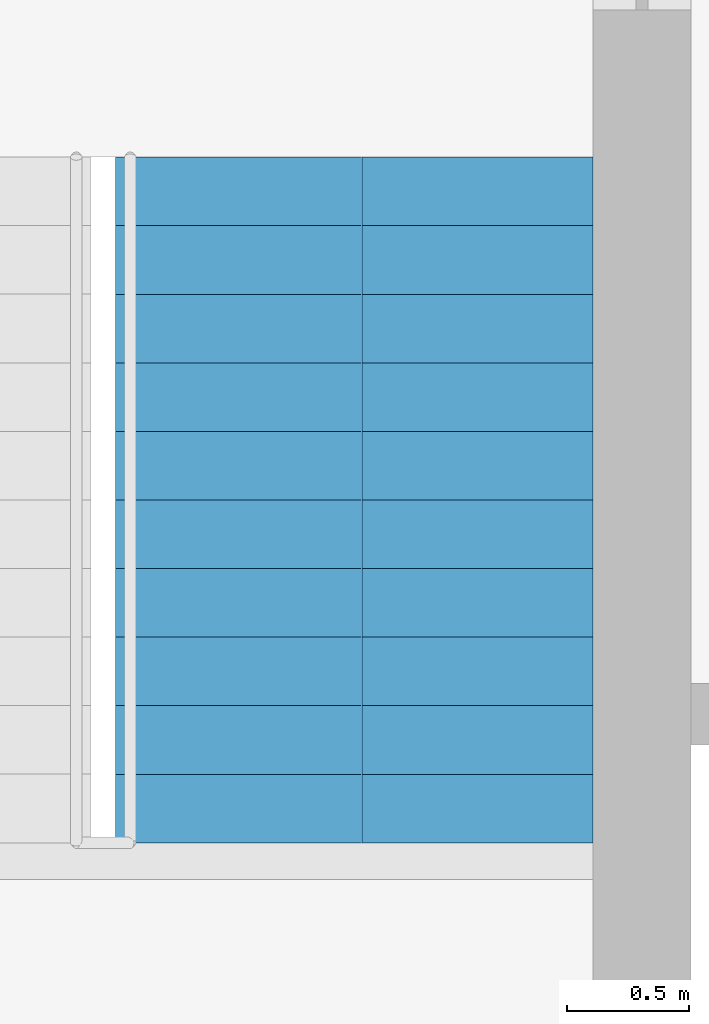
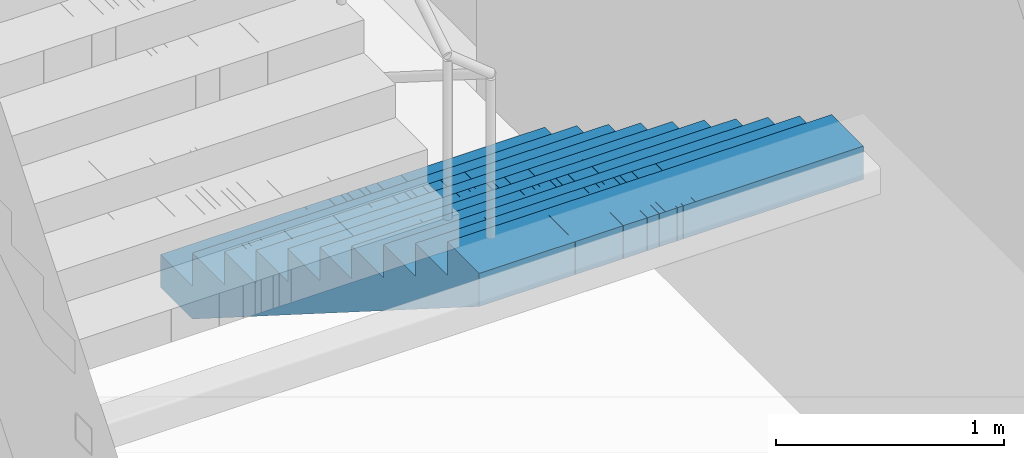
# One storey, part 21 of 22: 1 stair flight, 1 element without a shape of its own.
"""IFC4 building model written with IfcOpenShell, lengths in metres."""

import ifcopenshell
import ifcopenshell.guid

model = None  # the IFC model being written
_history = None  # IfcOwnerHistory: only IFC2X3 demands one
_inside = {}  # id of a spatial element -> (the spatial element, [elements in it])
_under = {}  # id of a project, library or spatial element -> (it, [spatial elements below it])
_declared = {}  # id of a project -> (the project, [libraries it declares])
_typed = {}  # id of a type object -> (the type object, [elements of that type])
_made_of = {}  # id of a material, layer set ... -> (it, [elements and type objects made of it])


def new_model(schema):
    """Start an empty IFC model of exactly this schema.

    Asked for "IFC4X3", IfcOpenShell would pick the latest addendum, in which some entities
    have other attributes; the version numbers below select the first issue.
    IFC2X3 requires an IfcOwnerHistory on every rooted entity: one is made here for all.
    """
    global model, _history
    if schema == "IFC4X3":
        model = ifcopenshell.file(schema_version=(4, 3, 0, 0))
    else:
        model = ifcopenshell.file(schema=schema)
    _inside.clear()
    _under.clear()
    _declared.clear()
    _typed.clear()
    _made_of.clear()
    _history = None
    if model.schema == "IFC2X3":
        org = make("IfcOrganization", Name="unknown")
        user = make(
            "IfcPersonAndOrganization",
            ThePerson=make("IfcPerson", FamilyName="unknown"),
            TheOrganization=org,
        )
        app = make(
            "IfcApplication",
            ApplicationDeveloper=org,
            Version="unknown",
            ApplicationFullName="unknown",
            ApplicationIdentifier="unknown",
        )
        _history = make(
            "IfcOwnerHistory",
            OwningUser=user,
            OwningApplication=app,
            ChangeAction="ADDED",
            CreationDate=0,
        )
    return model


def make(cls, **values):
    """One entity of the class cls with the attributes given. An attribute that is None is left unset."""
    return model.create_entity(
        cls, **{name: value for name, value in values.items() if value is not None}
    )


def rooted(cls, **values):
    """An entity with a GlobalId (a new one), such as an element, a storey or a relation."""
    return make(cls, GlobalId=ifcopenshell.guid.new(), OwnerHistory=_history, **values)


def si_unit(unit_type, name, prefix=None):
    """IfcSIUnit, for example si_unit("LENGTHUNIT", "METRE", prefix="MILLI")."""
    return make("IfcSIUnit", UnitType=unit_type, Prefix=prefix, Name=name)


def assignment(units):
    """IfcUnitAssignment: the units of a project."""
    return None if units is None else make("IfcUnitAssignment", Units=units)


def point(xyz):
    """IfcCartesianPoint."""
    return None if xyz is None else make("IfcCartesianPoint", Coordinates=xyz)


def direction(xyz):
    """IfcDirection."""
    return None if xyz is None else make("IfcDirection", DirectionRatios=xyz)


def frame(location, z_axis=None, x_axis=None):
    """IfcAxis2Placement3D, a coordinate frame: its origin and axes. An axis left out is left unset."""
    return make(
        "IfcAxis2Placement3D",
        Location=point(location),
        Axis=direction(z_axis),
        RefDirection=direction(x_axis),
    )


def origin():
    """The frame at (0, 0, 0) with its axes left unset."""
    return frame((0.0, 0.0, 0.0))


def place(relative_to, where):
    """IfcLocalPlacement: puts the frame where relative to a parent placement (None: the world)."""
    return make(
        "IfcLocalPlacement", PlacementRelTo=relative_to, RelativePlacement=where
    )


def context(
    kind, dimensions, precision=None, world=None, true_north=None, identifier=None
):
    """IfcGeometricRepresentationContext, for example the 3D "Model" context."""
    return make(
        "IfcGeometricRepresentationContext",
        ContextIdentifier=identifier,
        ContextType=kind,
        CoordinateSpaceDimension=dimensions,
        Precision=precision,
        WorldCoordinateSystem=world,
        TrueNorth=true_north,
    )


def subcontext(parent, identifier, kind, view, scale=None):
    """IfcGeometricRepresentationSubContext, for example "Body" below "Model"."""
    return make(
        "IfcGeometricRepresentationSubContext",
        ContextIdentifier=identifier,
        ContextType=kind,
        ParentContext=parent,
        TargetScale=scale,
        TargetView=view,
    )


def project(units=None, contexts=None):
    """IfcProject with its units and contexts."""
    return rooted(
        "IfcProject",
        Name="project",
        RepresentationContexts=contexts,
        UnitsInContext=assignment(units),
    )


def spatial(cls, under=None, at=None, **own):
    """A site, building, storey or space (cls), placed at a placement, below another one or the project."""
    s = rooted(cls, ObjectPlacement=at, **own)
    if under is not None:
        _under.setdefault(under.id(), (under, []))[1].append(s)
    return s


def polyline(points):
    """IfcPolyline through the points."""
    return make("IfcPolyline", Points=[point(p) for p in points])


def outline(outer, holes=None, kind="AREA"):
    """IfcArbitraryClosedProfileDef: a profile drawn as a closed curve; with holes, ...WithVoids."""
    if holes is None:
        return make("IfcArbitraryClosedProfileDef", ProfileType=kind, OuterCurve=outer)
    return make(
        "IfcArbitraryProfileDefWithVoids",
        ProfileType=kind,
        OuterCurve=outer,
        InnerCurves=holes,
    )


def extrude(swept, where, along, depth):
    """IfcExtrudedAreaSolid: the profile swept, set in the frame where, extruded along a direction by depth."""
    return make(
        "IfcExtrudedAreaSolid",
        SweptArea=swept,
        Position=where,
        ExtrudedDirection=direction(along),
        Depth=depth,
    )


def shape(context_of_items, identifier, shape_type, items):
    """IfcShapeRepresentation: the items that make up one representation, for example the "Body"."""
    return make(
        "IfcShapeRepresentation",
        ContextOfItems=context_of_items,
        RepresentationIdentifier=identifier,
        RepresentationType=shape_type,
        Items=items,
    )


def material(Name=None, Category=None):
    """IfcMaterial."""
    return make("IfcMaterial", Name=Name, Category=Category)


def made_of(thing, what):
    """Note that an element or type object is made of a material, layer set ...; save() writes the relation."""
    if what is not None:
        _made_of.setdefault(what.id(), (what, []))[1].append(thing)
    return thing


def type_object(cls, material=None, **own):
    """A type object (cls), such as IfcWallType, which elements share."""
    return made_of(rooted(cls, **own), material)


def element(
    cls,
    number,
    at=None,
    inside=None,
    cuts=None,
    type_object=None,
    material=None,
    context=None,
    identifier="Body",
    shape_type=None,
    held_by="IfcProductDefinitionShape",
    body=None,
    shapes=None,
    **own,
):
    """One element of the class cls, such as IfcWall. Its Tag is "e" and its number.

    at: its placement. inside: the storey or other place that contains it. cuts: it is an
    opening in that element (IfcRelVoidsElement). A single representation is given by context,
    identifier, shape_type and body (its items); several are given by shapes. held_by: the class
    of the entity that holds the representations. save() writes the other relations.
    """
    e = rooted(cls, Tag="e%d" % number, ObjectPlacement=at, **own)
    if body is not None:
        shapes = [shape(context, identifier, shape_type, body)]
    if shapes is not None:
        e.Representation = make(held_by, Representations=shapes)
    if inside is not None:
        _inside.setdefault(inside.id(), (inside, []))[1].append(e)
    if cuts is not None:
        rooted(
            "IfcRelVoidsElement", RelatingBuildingElement=cuts, RelatedOpeningElement=e
        )
    if type_object is not None:
        _typed.setdefault(type_object.id(), (type_object, []))[1].append(e)
    return made_of(e, material)


def aggregate(whole, parts):
    """IfcRelAggregates: a whole, such as a stair, and the parts it consists of."""
    return rooted("IfcRelAggregates", RelatingObject=whole, RelatedObjects=parts)


def save(model, path):
    """Write the relations noted so far, then the file.

    IfcRelAggregates (storeys below a building ...), IfcRelContainedInSpatialStructure (elements
    in a storey), IfcRelDefinesByType, IfcRelAssociatesMaterial and IfcRelDeclares: one each for
    every whole, place, type object, material and project.
    """
    for whole, parts in _under.values():
        aggregate(whole, parts)
    for where, things in _inside.values():
        rooted(
            "IfcRelContainedInSpatialStructure",
            RelatedElements=things,
            RelatingStructure=where,
        )
    for kind, things in _typed.values():
        rooted("IfcRelDefinesByType", RelatedObjects=things, RelatingType=kind)
    for what, things in _made_of.values():
        rooted("IfcRelAssociatesMaterial", RelatedObjects=things, RelatingMaterial=what)
    for by, libraries in _declared.values():
        rooted("IfcRelDeclares", RelatingContext=by, RelatedDefinitions=libraries)
    model.write(path)


model = new_model("IFC4")

# Units and contexts
model_context = context("Model", 3, precision=1e-05, world=origin(), true_north=direction((0.0, 1.0)))
body_context = subcontext(model_context, "Body", "Model", "MODEL_VIEW")
ifc_project = project(units=[si_unit("LENGTHUNIT", "METRE"), si_unit("AREAUNIT", "SQUARE_METRE"), si_unit("VOLUMEUNIT", "CUBIC_METRE"), si_unit("PLANEANGLEUNIT", "RADIAN"), si_unit("MASSUNIT", "GRAM", prefix="KILO")], contexts=[model_context])

# Site, building, storey
site_placement = place(None, origin())
site = spatial("IfcSite", under=ifc_project, at=site_placement, CompositionType="ELEMENT")
building_placement = place(site_placement, origin())
building = spatial("IfcBuilding", under=site, at=building_placement, Name="Mizan Broadcast Tower", CompositionType="ELEMENT")
storey_placement = place(building_placement, frame((0.0, 0.0, 109.800048828125)))
storey = spatial("IfcBuildingStorey", under=building, at=storey_placement, Name="L24", CompositionType="ELEMENT", Elevation=109.800048828125)

# Stair, stair flight
ifc_material_1 = material(Name="Concrete C40/50", Category="concrete")
stair_type = type_object("IfcStairType", Name="EXIT STAIR", PredefinedType="HALF_TURN_STAIR", material=ifc_material_1)
stair_placement = place(storey_placement, origin())
stair = element("IfcStair", 1, at=stair_placement, inside=storey, type_object=stair_type, Name="Stair B L24", PredefinedType="HALF_TURN_STAIR")
ifc_material_2 = material(Name="Concrete C40/50", Category="concrete")
stair_flight_type = type_object("IfcStairFlightType", Name="EXIT STAIR FLIGHT", PredefinedType="STRAIGHT", material=ifc_material_2)
stair_flight_placement = place(storey_placement, frame((1.02490234375, 7.89990234375, 0.0), z_axis=(0.0, 0.0, 1.0), x_axis=(0.0, -1.0, 0.0)))
stair_flight = element("IfcStairFlight", 2, at=stair_flight_placement, type_object=stair_flight_type, Name="B flight 1", NumberOfRisers=11, NumberOfTreads=10, PredefinedType="STRAIGHT", RiserHeight=0.177272727, TreadLength=0.28, context=body_context, shape_type="SweptSolid", body=[
    extrude(outline(polyline([(0.0, 0.0), (0.0, 0.17724609375), (0.280029296875, 0.17724609375), (0.280029296875, 0.3544921875), (0.56005859375, 0.3544921875), (0.56005859375, 0.53173828125), (0.840087890625, 0.53173828125), (0.840087890625, 0.708984375), (1.1201171875, 0.708984375), (1.1201171875, 0.886474609375), (1.39990234375, 0.886474609375), (1.39990234375, 1.063720703125), (1.679931640625, 1.063720703125), (1.679931640625, 1.240966796875), (1.9599609375, 1.240966796875), (1.9599609375, 1.418212890625), (2.239990234375, 1.418212890625), (2.239990234375, 1.595458984375), (2.52001953125, 1.595458984375), (2.52001953125, 1.772705078125), (2.800048828125, 1.772705078125), (2.800048828125, 1.949951171875), (2.800048828125, 1.59521484375), (0.2802734375, 0.0), (0.0, 0.0)])), frame((0.0, 0.97509765625, 0.0), z_axis=(0.0, -1.0, 0.0), x_axis=(1.0, 0.0, 0.0)), (0.0, 0.0, 1.0), 0.4873046875),
    extrude(outline(polyline([(0.0, 0.0), (0.0, 0.17724609375), (0.280029296875, 0.17724609375), (0.280029296875, 0.3544921875), (0.56005859375, 0.3544921875), (0.56005859375, 0.53173828125), (0.840087890625, 0.53173828125), (0.840087890625, 0.708984375), (1.1201171875, 0.708984375), (1.1201171875, 0.886474609375), (1.39990234375, 0.886474609375), (1.39990234375, 1.063720703125), (1.679931640625, 1.063720703125), (1.679931640625, 1.240966796875), (1.9599609375, 1.240966796875), (1.9599609375, 1.418212890625), (2.239990234375, 1.418212890625), (2.239990234375, 1.595458984375), (2.52001953125, 1.595458984375), (2.52001953125, 1.772705078125), (2.800048828125, 1.772705078125), (2.800048828125, 1.949951171875), (2.800048828125, 1.59521484375), (0.2802734375, 0.0), (0.0, 0.0)])), frame((0.0, 0.4873046875, 0.0), z_axis=(0.0, -1.0, 0.0), x_axis=(1.0, 0.0, 0.0)), (0.0, 0.0, 1.0), 0.2431640625),
    extrude(outline(polyline([(0.0, 0.0), (0.0, 0.17724609375), (0.280029296875, 0.17724609375), (0.280029296875, 0.3544921875), (0.56005859375, 0.3544921875), (0.56005859375, 0.53173828125), (0.840087890625, 0.53173828125), (0.840087890625, 0.708984375), (1.1201171875, 0.708984375), (1.1201171875, 0.886474609375), (1.39990234375, 0.886474609375), (1.39990234375, 1.063720703125), (1.679931640625, 1.063720703125), (1.679931640625, 1.240966796875), (1.9599609375, 1.240966796875), (1.9599609375, 1.418212890625), (2.239990234375, 1.418212890625), (2.239990234375, 1.595458984375), (2.52001953125, 1.595458984375), (2.52001953125, 1.772705078125), (2.800048828125, 1.772705078125), (2.800048828125, 1.949951171875), (2.800048828125, 1.59521484375), (0.2802734375, 0.0), (0.0, 0.0)])), frame((0.0, 0.24365234375, 0.0), z_axis=(0.0, -1.0, 0.0), x_axis=(1.0, 0.0, 0.0)), (0.0, 0.0, 1.0), 0.121337890625),
    extrude(outline(polyline([(0.0, 0.0), (0.0, 0.17724609375), (0.280029296875, 0.17724609375), (0.280029296875, 0.3544921875), (0.56005859375, 0.3544921875), (0.56005859375, 0.53173828125), (0.840087890625, 0.53173828125), (0.840087890625, 0.708984375), (1.1201171875, 0.708984375), (1.1201171875, 0.886474609375), (1.39990234375, 0.886474609375), (1.39990234375, 1.063720703125), (1.679931640625, 1.063720703125), (1.679931640625, 1.240966796875), (1.9599609375, 1.240966796875), (1.9599609375, 1.418212890625), (2.239990234375, 1.418212890625), (2.239990234375, 1.595458984375), (2.52001953125, 1.595458984375), (2.52001953125, 1.772705078125), (2.800048828125, 1.772705078125), (2.800048828125, 1.949951171875), (2.800048828125, 1.59521484375), (0.2802734375, 0.0), (0.0, 0.0)])), frame((0.0, 0.121826171875, 0.0), z_axis=(0.0, -1.0, 0.0), x_axis=(1.0, 0.0, 0.0)), (0.0, 0.0, 1.0), 0.060546875),
    extrude(outline(polyline([(0.0, 0.0), (0.0, 0.17724609375), (0.280029296875, 0.17724609375), (0.280029296875, 0.3544921875), (0.56005859375, 0.3544921875), (0.56005859375, 0.53173828125), (0.840087890625, 0.53173828125), (0.840087890625, 0.708984375), (1.1201171875, 0.708984375), (1.1201171875, 0.886474609375), (1.39990234375, 0.886474609375), (1.39990234375, 1.063720703125), (1.679931640625, 1.063720703125), (1.679931640625, 1.240966796875), (1.9599609375, 1.240966796875), (1.9599609375, 1.418212890625), (2.239990234375, 1.418212890625), (2.239990234375, 1.595458984375), (2.52001953125, 1.595458984375), (2.52001953125, 1.772705078125), (2.800048828125, 1.772705078125), (2.800048828125, 1.949951171875), (2.800048828125, 1.59521484375), (0.2802734375, 0.0), (0.0, 0.0)])), frame((0.0, 0.060791015625, 0.0), z_axis=(0.0, -1.0, 0.0), x_axis=(1.0, 0.0, 0.0)), (0.0, 0.0, 1.0), 0.030029296875),
    extrude(outline(polyline([(0.0, 0.0), (0.0, 0.17724609375), (0.280029296875, 0.17724609375), (0.280029296875, 0.3544921875), (0.56005859375, 0.3544921875), (0.56005859375, 0.53173828125), (0.840087890625, 0.53173828125), (0.840087890625, 0.708984375), (1.1201171875, 0.708984375), (1.1201171875, 0.886474609375), (1.39990234375, 0.886474609375), (1.39990234375, 1.063720703125), (1.679931640625, 1.063720703125), (1.679931640625, 1.240966796875), (1.9599609375, 1.240966796875), (1.9599609375, 1.418212890625), (2.239990234375, 1.418212890625), (2.239990234375, 1.595458984375), (2.52001953125, 1.595458984375), (2.52001953125, 1.772705078125), (2.800048828125, 1.772705078125), (2.800048828125, 1.949951171875), (2.800048828125, 1.59521484375), (0.2802734375, 0.0), (0.0, 0.0)])), frame((0.0, 0.0302734375, 0.0), z_axis=(0.0, -1.0, 0.0), x_axis=(1.0, 0.0, 0.0)), (0.0, 0.0, 1.0), 0.060302734375),
    extrude(outline(polyline([(0.0, 0.0), (0.0, 0.17724609375), (0.280029296875, 0.17724609375), (0.280029296875, 0.3544921875), (0.56005859375, 0.3544921875), (0.56005859375, 0.53173828125), (0.840087890625, 0.53173828125), (0.840087890625, 0.708984375), (1.1201171875, 0.708984375), (1.1201171875, 0.886474609375), (1.39990234375, 0.886474609375), (1.39990234375, 1.063720703125), (1.679931640625, 1.063720703125), (1.679931640625, 1.240966796875), (1.9599609375, 1.240966796875), (1.9599609375, 1.418212890625), (2.239990234375, 1.418212890625), (2.239990234375, 1.595458984375), (2.52001953125, 1.595458984375), (2.52001953125, 1.772705078125), (2.800048828125, 1.772705078125), (2.800048828125, 1.949951171875), (2.800048828125, 1.59521484375), (0.2802734375, 0.0), (0.0, 0.0)])), frame((0.0, -0.030517578125, 0.0), z_axis=(0.0, -1.0, 0.0), x_axis=(1.0, 0.0, 0.0)), (0.0, 0.0, 1.0), 0.030029296875),
    extrude(outline(polyline([(0.0, 0.0), (0.0, 0.17724609375), (0.280029296875, 0.17724609375), (0.280029296875, 0.3544921875), (0.56005859375, 0.3544921875), (0.56005859375, 0.53173828125), (0.840087890625, 0.53173828125), (0.840087890625, 0.708984375), (1.1201171875, 0.708984375), (1.1201171875, 0.886474609375), (1.39990234375, 0.886474609375), (1.39990234375, 1.063720703125), (1.679931640625, 1.063720703125), (1.679931640625, 1.240966796875), (1.9599609375, 1.240966796875), (1.9599609375, 1.418212890625), (2.239990234375, 1.418212890625), (2.239990234375, 1.595458984375), (2.52001953125, 1.595458984375), (2.52001953125, 1.772705078125), (2.800048828125, 1.772705078125), (2.800048828125, 1.949951171875), (2.800048828125, 1.59521484375), (0.2802734375, 0.0), (0.0, 0.0)])), frame((0.0, -0.06103515625, 0.0), z_axis=(0.0, -1.0, 0.0), x_axis=(1.0, 0.0, 0.0)), (0.0, 0.0, 1.0), 0.060546875),
    extrude(outline(polyline([(0.0, 0.0), (0.0, 0.17724609375), (0.280029296875, 0.17724609375), (0.280029296875, 0.3544921875), (0.56005859375, 0.3544921875), (0.56005859375, 0.53173828125), (0.840087890625, 0.53173828125), (0.840087890625, 0.708984375), (1.1201171875, 0.708984375), (1.1201171875, 0.886474609375), (1.39990234375, 0.886474609375), (1.39990234375, 1.063720703125), (1.679931640625, 1.063720703125), (1.679931640625, 1.240966796875), (1.9599609375, 1.240966796875), (1.9599609375, 1.418212890625), (2.239990234375, 1.418212890625), (2.239990234375, 1.595458984375), (2.52001953125, 1.595458984375), (2.52001953125, 1.772705078125), (2.800048828125, 1.772705078125), (2.800048828125, 1.949951171875), (2.800048828125, 1.59521484375), (0.2802734375, 0.0), (0.0, 0.0)])), frame((0.0, -0.1220703125, 0.0), z_axis=(0.0, -1.0, 0.0), x_axis=(1.0, 0.0, 0.0)), (0.0, 0.0, 1.0), 0.121337890625),
    extrude(outline(polyline([(0.0, 0.0), (0.0, 0.17724609375), (0.280029296875, 0.17724609375), (0.280029296875, 0.3544921875), (0.56005859375, 0.3544921875), (0.56005859375, 0.53173828125), (0.840087890625, 0.53173828125), (0.840087890625, 0.708984375), (1.1201171875, 0.708984375), (1.1201171875, 0.886474609375), (1.39990234375, 0.886474609375), (1.39990234375, 1.063720703125), (1.679931640625, 1.063720703125), (1.679931640625, 1.240966796875), (1.9599609375, 1.240966796875), (1.9599609375, 1.418212890625), (2.239990234375, 1.418212890625), (2.239990234375, 1.595458984375), (2.52001953125, 1.595458984375), (2.52001953125, 1.772705078125), (2.800048828125, 1.772705078125), (2.800048828125, 1.949951171875), (2.800048828125, 1.59521484375), (0.2802734375, 0.0), (0.0, 0.0)])), frame((0.0, -0.243896484375, 0.0), z_axis=(0.0, -1.0, 0.0), x_axis=(1.0, 0.0, 0.0)), (0.0, 0.0, 1.0), 0.2431640625),
    extrude(outline(polyline([(0.0, 0.0), (0.0, 0.17724609375), (0.280029296875, 0.17724609375), (0.280029296875, 0.3544921875), (0.56005859375, 0.3544921875), (0.56005859375, 0.53173828125), (0.840087890625, 0.53173828125), (0.840087890625, 0.708984375), (1.1201171875, 0.708984375), (1.1201171875, 0.886474609375), (1.39990234375, 0.886474609375), (1.39990234375, 1.063720703125), (1.679931640625, 1.063720703125), (1.679931640625, 1.240966796875), (1.9599609375, 1.240966796875), (1.9599609375, 1.418212890625), (2.239990234375, 1.418212890625), (2.239990234375, 1.595458984375), (2.52001953125, 1.595458984375), (2.52001953125, 1.772705078125), (2.800048828125, 1.772705078125), (2.800048828125, 1.949951171875), (2.800048828125, 1.59521484375), (0.2802734375, 0.0), (0.0, 0.0)])), frame((0.0, -0.487548828125, 0.0), z_axis=(0.0, -1.0, 0.0), x_axis=(1.0, 0.0, 0.0)), (0.0, 0.0, 1.0), 0.4873046875),
])
aggregate(stair, [stair_flight])

save(model, "model.ifc")
